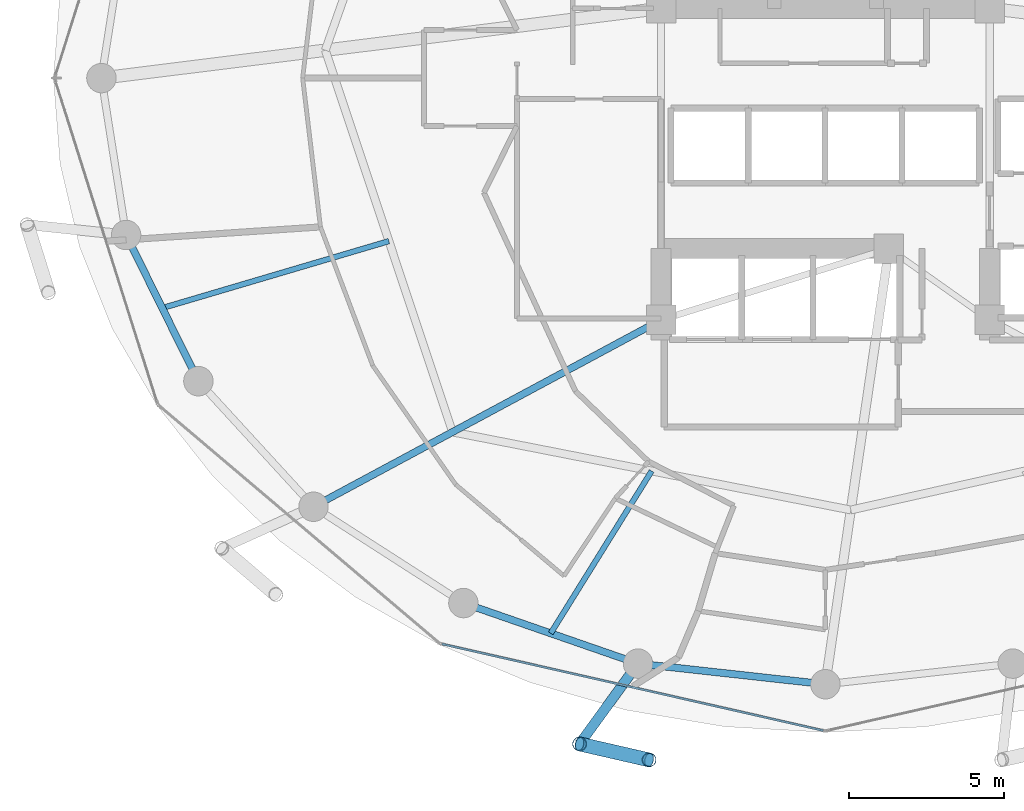
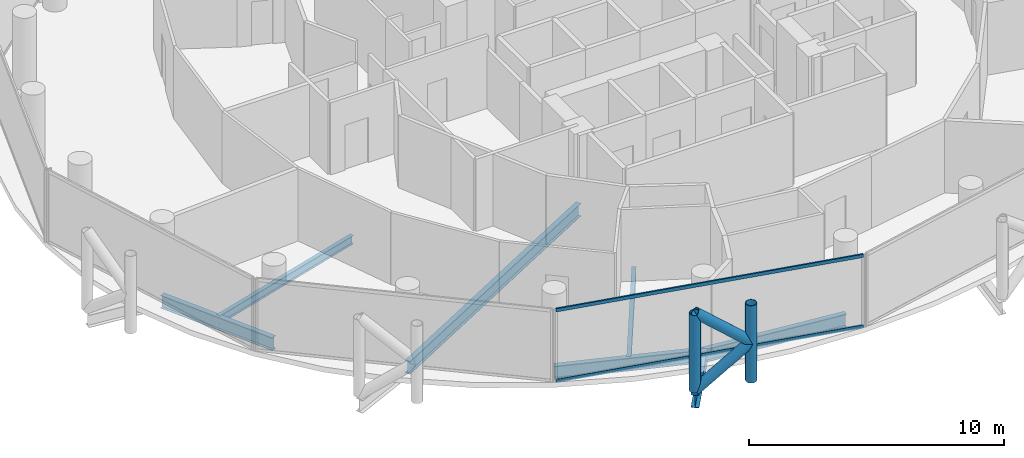
# One storey, part 3 of 27: 7 beams, 6 members, 1 element without a shape of its own.
"""IFC4 building model written with IfcOpenShell, lengths in metres."""

from ifc_helpers import new_model, si_unit, direction, frame, origin, origin_2d, place, context, subcontext, project, spatial, hollow_rectangle, hollow_circle, i_section, extrude, material, layer, layer_set, material_profile, profile_set, type_object, element, aggregate, save


model = new_model("IFC4")

# Units and contexts
model_context = context("Model", 3, precision=1e-05, world=origin(), true_north=direction((0.0, 1.0)))
body_context = subcontext(model_context, "Body", "Model", "MODEL_VIEW")
ifc_project = project(units=[si_unit("LENGTHUNIT", "METRE"), si_unit("AREAUNIT", "SQUARE_METRE"), si_unit("VOLUMEUNIT", "CUBIC_METRE"), si_unit("PLANEANGLEUNIT", "RADIAN"), si_unit("MASSUNIT", "GRAM", prefix="KILO")], contexts=[model_context])

# Site, building, storey
site_placement = place(None, origin())
site = spatial("IfcSite", under=ifc_project, at=site_placement, CompositionType="ELEMENT")
building_placement = place(site_placement, origin())
building = spatial("IfcBuilding", under=site, at=building_placement, Name="Nuhasar Tower", CompositionType="ELEMENT")
storey_placement = place(building_placement, frame((0.0, 0.0, 158.949951171875)))
storey = spatial("IfcBuildingStorey", under=building, at=storey_placement, Name="L38", CompositionType="ELEMENT", Elevation=158.949951171875)

# Beams
ifc_material_1 = material(Name="Steel S355", Category="steel")
ifc_material_profile_1 = material_profile(ifc_material_1, i_section(OverallWidth=0.177978515625, OverallDepth=0.406005859375, WebThickness=0.0078125, FlangeThickness=0.0126953125, at=origin_2d()), Name="W16X40")
ifc_profile_set_1 = profile_set([ifc_material_profile_1], Name="Steel S355")
beam_type_1 = type_object("IfcBeamType", Name="BM-JST-W16X40", PredefinedType="JOIST", material=ifc_profile_set_1)
beam_1_placement = place(storey_placement, frame((33.39697265625, 14.1279296875, -0.452880859375), z_axis=(-0.528139463011, -0.849157645912, 0.0), x_axis=(0.849157645912, -0.528139463011, 0.0)))
element("IfcBeam", 1, at=beam_1_placement, inside=storey, type_object=beam_type_1, Name="L38 Secondary Floor Joist 01", PredefinedType="JOIST", context=body_context, shape_type="SweptSolid", body=[
    extrude(i_section(OverallWidth=0.177978515625, OverallDepth=0.406005859375, WebThickness=0.0078125, FlangeThickness=0.0126953125, at=origin_2d()), origin(), (0.0, 0.0, 1.0), 6.164794921875),
])
beam_2_placement = place(storey_placement, frame((24.922119140625, 21.54296875, -0.452880859375), z_axis=(-0.959013356257, -0.283360869775, 0.0), x_axis=(0.283360869775, -0.959013356257, 0.0)))
element("IfcBeam", 2, at=beam_2_placement, inside=storey, type_object=beam_type_1, Name="L38 Secondary Floor Joist 08", PredefinedType="JOIST", context=body_context, shape_type="SweptSolid", body=[
    extrude(i_section(OverallWidth=0.177978515625, OverallDepth=0.406005859375, WebThickness=0.0078125, FlangeThickness=0.0126953125, at=origin_2d()), origin(), (0.0, 0.0, 1.0), 7.62255859375),
])
ifc_material_profile_2 = material_profile(ifc_material_1, i_section(OverallWidth=0.22900390625, OverallDepth=0.612060546875, WebThickness=0.011962890625, FlangeThickness=0.01953125, at=origin_2d()), Name="W24X84")
ifc_profile_set_2 = profile_set([ifc_material_profile_2], Name="Steel S355")
beam_type_2 = type_object("IfcBeamType", Name="BM-RAD-W24X84", PredefinedType="BEAM", material=ifc_profile_set_2)
beam_3_placement = place(storey_placement, frame((33.699951171875, 19.0, -0.555908203125), z_axis=(-0.880888386928, -0.473324043098, 0.0), x_axis=(0.473324043098, -0.880888386928, 0.0)))
element("IfcBeam", 3, at=beam_3_placement, inside=storey, type_object=beam_type_2, Name="L38 Radial Floor Girder 01", PredefinedType="BEAM", context=body_context, shape_type="SweptSolid", body=[
    extrude(i_section(OverallWidth=0.22900390625, OverallDepth=0.612060546875, WebThickness=0.011962890625, FlangeThickness=0.01953125, at=origin_2d()), origin(), (0.0, 0.0, 1.0), 12.726806640625),
])
ifc_material_profile_3 = material_profile(ifc_material_1, i_section(OverallWidth=0.22998046875, OverallDepth=0.616943359375, WebThickness=0.01318359375, FlangeThickness=0.022216796875, at=origin_2d()), Name="W24X94")
ifc_profile_set_3 = profile_set([ifc_material_profile_3], Name="Steel S355")
beam_type_3 = type_object("IfcBeamType", Name="BM-RING-W24X94", PredefinedType="SPANDREL", material=ifc_profile_set_3)
beam_4_placement = place(storey_placement, frame((16.446044921875, 21.739990234375, -0.558837890625), z_axis=(0.443329327657, -0.896358804966, 0.0), x_axis=(0.896358804966, 0.443329327657, 0.0)))
element("IfcBeam", 4, at=beam_4_placement, inside=storey, type_object=beam_type_3, Name="L38 Perimeter Ring Spandrel 14", PredefinedType="SPANDREL", context=body_context, shape_type="SweptSolid", body=[
    extrude(i_section(OverallWidth=0.22998046875, OverallDepth=0.616943359375, WebThickness=0.01318359375, FlangeThickness=0.022216796875, at=origin_2d()), origin(), (0.0, 0.0, 1.0), 5.26025390625),
])
beam_5_placement = place(storey_placement, frame((27.324951171875, 9.868896484375, -0.558837890625), z_axis=(0.944814057608, -0.327607076458, 0.0), x_axis=(0.327607076458, 0.944814057608, 0.0)))
element("IfcBeam", 5, at=beam_5_placement, inside=storey, type_object=beam_type_3, Name="L38 Perimeter Ring Spandrel 17", PredefinedType="SPANDREL", context=body_context, shape_type="SweptSolid", body=[
    extrude(i_section(OverallWidth=0.22998046875, OverallDepth=0.616943359375, WebThickness=0.01318359375, FlangeThickness=0.022216796875, at=origin_2d()), origin(), (0.0, 0.0, 1.0), 5.9609375),
])
beam_6_placement = place(storey_placement, frame((32.95703125, 7.916015625, -0.558837890625), z_axis=(0.993981289157, -0.109549974015, 0.0), x_axis=(0.109549974015, 0.993981289157, 0.0)))
element("IfcBeam", 6, at=beam_6_placement, inside=storey, type_object=beam_type_3, Name="L38 Perimeter Ring Spandrel 18", PredefinedType="SPANDREL", context=body_context, shape_type="SweptSolid", body=[
    extrude(i_section(OverallWidth=0.22998046875, OverallDepth=0.616943359375, WebThickness=0.01318359375, FlangeThickness=0.022216796875, at=origin_2d()), origin(), (0.0, 0.0, 1.0), 6.07958984375),
])
ifc_material_profile_4 = material_profile(ifc_material_1, i_section(OverallWidth=0.323974609375, OverallDepth=0.611083984375, WebThickness=0.0126953125, FlangeThickness=0.01904296875, at=origin_2d()), Name="W24X104")
ifc_profile_set_4 = profile_set([ifc_material_profile_4], Name="Steel S355")
beam_type_4 = type_object("IfcBeamType", Name="BM-TIE-W24X104", PredefinedType="BEAM", material=ifc_profile_set_4)
beam_7_placement = place(storey_placement, frame((32.95703125, 7.916015625, -0.555908203125), z_axis=(-0.588149050751, -0.808752554309, 0.0), x_axis=(0.808752554309, -0.588149050751, 0.0)))
element("IfcBeam", 7, at=beam_7_placement, inside=storey, type_object=beam_type_4, Name="L38 Exoskeleton Node Tie Beam 09", PredefinedType="BEAM", context=body_context, shape_type="SweptSolid", body=[
    extrude(i_section(OverallWidth=0.323974609375, OverallDepth=0.611083984375, WebThickness=0.0126953125, FlangeThickness=0.01904296875, at=origin_2d()), origin(), (0.0, 0.0, 1.0), 3.205078125),
])

# Curtain wall, members
ifc_material_2 = material(Name="Aluminium 6063-T6", Category="aluminium")
ifc_layer = layer(ifc_material_2, 0.199951171875)
ifc_layer_set = layer_set([ifc_layer], Name="Aluminium 6063-T6")
curtain_wall_type = type_object("IfcCurtainWallType", Name="CW-Z2-HTL", PredefinedType="NOTDEFINED", material=ifc_layer_set)
curtain_wall_placement = place(storey_placement, origin())
curtain_wall = element("IfcCurtainWall", 8, at=curtain_wall_placement, inside=storey, type_object=curtain_wall_type, Name="L38 Unitised Curtain Wall 09", PredefinedType="NOTDEFINED")
ifc_material_profile_5 = material_profile(ifc_material_2, hollow_rectangle(XDim=0.070068359375, YDim=0.159912109375, WallThickness=0.00439453125, at=origin_2d()), Name="CWT-3")
ifc_profile_set_5 = profile_set([ifc_material_profile_5], Name="Aluminium 6063-T6")
member_type_1 = type_object("IfcMemberType", Name="CW-TRN-S3", PredefinedType="USERDEFINED", material=ifc_profile_set_5)
member_1_placement = place(storey_placement, frame((26.63818359375, 8.54638671875, 0.03515625), z_axis=(0.975187615691, -0.221380022142, 0.0), x_axis=(0.221380022142, 0.975187615691, 0.0)))
member_1 = element("IfcMember", 9, at=member_1_placement, type_object=member_type_1, Name="CW-Z2 transom 1.1", ObjectType="TRANSOM", PredefinedType="USERDEFINED", context=body_context, shape_type="SweptSolid", body=[
    extrude(hollow_rectangle(XDim=0.070068359375, YDim=0.159912109375, WallThickness=0.00439453125, at=origin_2d()), origin(), (0.0, 0.0, 1.0), 12.606201171875),
])
member_2_placement = place(storey_placement, frame((26.63818359375, 8.54638671875, 3.4150390625), z_axis=(0.975187615691, -0.221380022142, 0.0), x_axis=(0.221380022142, 0.975187615691, 0.0)))
member_2 = element("IfcMember", 10, at=member_2_placement, type_object=member_type_1, Name="CW-Z2 transom 1.2", ObjectType="TRANSOM", PredefinedType="USERDEFINED", context=body_context, shape_type="SweptSolid", body=[
    extrude(hollow_rectangle(XDim=0.070068359375, YDim=0.159912109375, WallThickness=0.00439453125, at=origin_2d()), origin(), (0.0, 0.0, 1.0), 12.606201171875),
])
aggregate(curtain_wall, [member_1, member_2])

# Members
ifc_material_3 = material(Name="Steel S460", Category="steel")
ifc_material_profile_6 = material_profile(ifc_material_3, hollow_circle(Radius=0.228515625, WallThickness=0.022216796875, at=origin_2d()), Name="HSS457X22.2")
ifc_profile_set_6 = profile_set([ifc_material_profile_6], Name="Steel S460")
member_type_2 = type_object("IfcMemberType", Name="EXO-BRONZE-457", PredefinedType="BRACE", material=ifc_profile_set_6)
for number, where, z_axis, x_axis, name in (
    (11, (31.072021484375, 5.323974609375, 0.0), (0.0, 0.0, 1.0), (1.0, 0.0, 0.0), "L38 Exoskeleton Chord Column EC-09A"),
    (12, (33.31396484375, 4.81005859375, 0.0), (0.0, 0.0, 1.0), (1.0, 0.0, 0.0), "L38 Exoskeleton Chord Column EC-09B"),
):
    element("IfcMember", number, at=place(storey_placement, frame(where, z_axis=z_axis, x_axis=x_axis)), inside=storey, type_object=member_type_2, Name=name, PredefinedType="BRACE", context=body_context, shape_type="SweptSolid", body=[
        extrude(hollow_circle(Radius=0.228515625, WallThickness=0.022216796875, at=origin_2d()), origin(), (0.0, 0.0, 1.0), 3.699951171875),
    ])
member_3_placement = place(storey_placement, frame((31.072021484375, 5.323974609375, 0.0), z_axis=(0.759510488094, -0.174101010284, 0.626763637022), x_axis=(0.223432882746, 0.974719316987, 0.0)))
element("IfcMember", 13, at=member_3_placement, inside=storey, type_object=member_type_2, Name="L38 Bronze Diagrid Brace W1-09", PredefinedType="BRACE", context=body_context, shape_type="SweptSolid", body=[
    extrude(hollow_circle(Radius=0.228515625, WallThickness=0.022216796875, at=origin_2d()), origin(), (0.0, 0.0, 1.0), 2.951904296875),
])
member_4_placement = place(storey_placement, frame((33.31396484375, 4.81005859375, 1.85009765625), z_axis=(-0.759549860492, 0.174110035537, 0.626713415327), x_axis=(-0.223432882746, -0.974719316987, 0.0)))
element("IfcMember", 14, at=member_4_placement, inside=storey, type_object=member_type_2, Name="L38 Bronze Diagrid Brace W2-09", PredefinedType="BRACE", context=body_context, shape_type="SweptSolid", body=[
    extrude(hollow_circle(Radius=0.228515625, WallThickness=0.022216796875, at=origin_2d()), origin(), (0.0, 0.0, 1.0), 2.95166015625),
])

save(model, "model.ifc")
